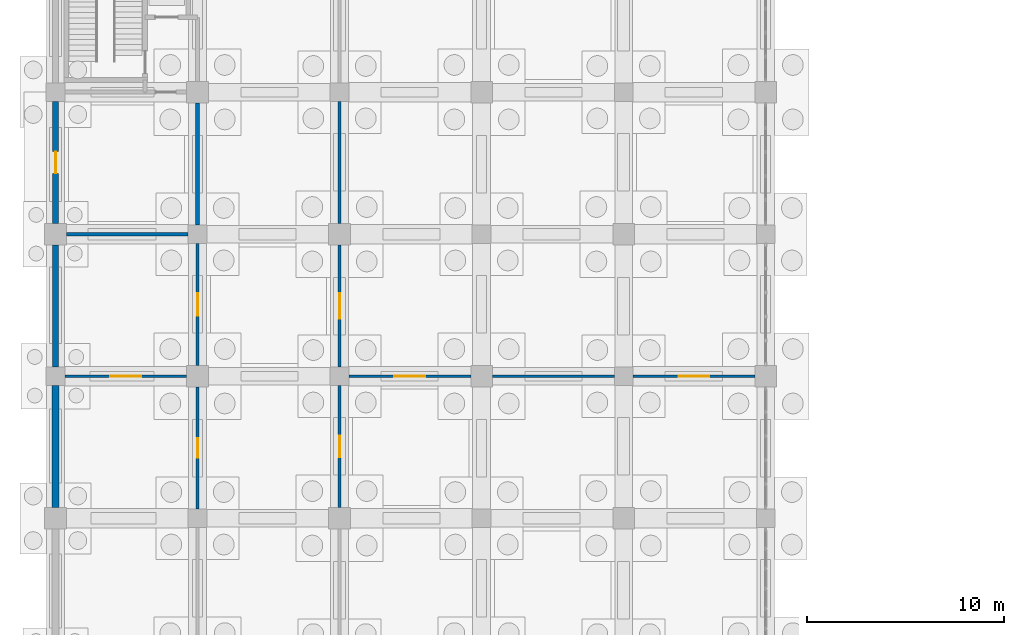
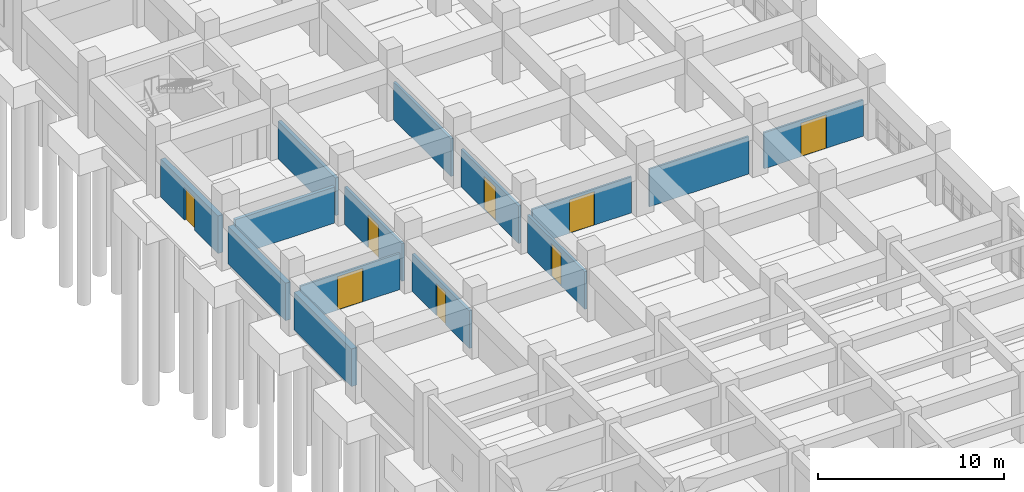
# One storey, part 58 of 79: 14 walls, 8 doors, 8 openings.
"""IFC4 building model written with IfcOpenShell, lengths in metres."""

from ifc_helpers import new_model, si_unit, direction, frame, frame_2d, origin, place, context, subcontext, project, spatial, rectangle, extrude, material, layer, layer_set, type_object, element, fill, save


model = new_model("IFC4")

# Units and contexts
model_context = context("Model", 3, precision=1e-05, world=origin(), true_north=direction((0.0, 1.0)))
body_context = subcontext(model_context, "Body", "Model", "MODEL_VIEW")
ifc_project = project(units=[si_unit("LENGTHUNIT", "METRE"), si_unit("AREAUNIT", "SQUARE_METRE"), si_unit("VOLUMEUNIT", "CUBIC_METRE"), si_unit("PLANEANGLEUNIT", "RADIAN"), si_unit("MASSUNIT", "GRAM", prefix="KILO")], contexts=[model_context])

# Site, building, storey
site_placement = place(None, origin())
site = spatial("IfcSite", under=ifc_project, at=site_placement, CompositionType="ELEMENT")
building_placement = place(site_placement, origin())
building = spatial("IfcBuilding", under=site, at=building_placement, Name="Kavelor Marine Aquarium", CompositionType="ELEMENT")
storey_placement = place(building_placement, origin())
storey = spatial("IfcBuildingStorey", under=building, at=storey_placement, Name="L00", CompositionType="ELEMENT", Elevation=0.0)

# Walls
ifc_material_1 = material(Name="Concrete C45/55", Category="concrete")
ifc_layer_1 = layer(ifc_material_1, 0.360107421875)
ifc_layer_set_1 = layer_set([ifc_layer_1], Name="WL-EX1")
wall_type_1 = type_object("IfcWallType", Name="WL-EX1", PredefinedType="STANDARD", material=ifc_layer_set_1)
wall_1_placement = place(storey_placement, frame((3.199951171875, 46.544921875, 0.0), z_axis=(0.0, 0.0, 1.0), x_axis=(0.0, 1.0, 0.0)))
element("IfcWall", 1, at=wall_1_placement, inside=storey, type_object=wall_type_1, Name="ew:y:L00:00_06", PredefinedType="STANDARD", context=body_context, shape_type="SweptSolid", body=[
    extrude(rectangle(XDim=6.18505859375, YDim=0.360107421875, at=frame_2d((3.092529296875, 0.0))), origin(), (0.0, 0.0, 1.0), 2.469970703125),
])
ifc_material_2 = material(Name="Concrete C45/55", Category="concrete")
ifc_layer_2 = layer(ifc_material_2, 0.320068359375)
ifc_layer_set_2 = layer_set([ifc_layer_2], Name="WL-EX2")
wall_type_2 = type_object("IfcWallType", Name="WL-EX2", PredefinedType="STANDARD", material=ifc_layer_set_2)
wall_2_placement = place(storey_placement, frame((3.199951171875, 53.669921875, 0.0), z_axis=(0.0, 0.0, 1.0), x_axis=(0.0, 1.0, 0.0)))
element("IfcWall", 2, at=wall_2_placement, inside=storey, type_object=wall_type_2, Name="ew:y:L00:00_07", PredefinedType="STANDARD", context=body_context, shape_type="SweptSolid", body=[
    extrude(rectangle(XDim=6.18505859375, YDim=0.320068359375, at=frame_2d((3.092529296875, 0.0))), origin(), (0.0, 0.0, 1.0), 2.469970703125),
])

# Wall, opening, door
ifc_material_3 = material(Name="Concrete C40/50", Category="concrete")
ifc_layer_3 = layer(ifc_material_3, 0.300048828125)
ifc_layer_set_3 = layer_set([ifc_layer_3], Name="WL-EX3")
wall_type_3 = type_object("IfcWallType", Name="WL-EX3", PredefinedType="STANDARD", material=ifc_layer_set_3)
wall_3_placement = place(storey_placement, frame((3.199951171875, 60.945068359375, 0.0), z_axis=(0.0, 0.0, 1.0), x_axis=(0.0, 1.0, 0.0)))
wall_3 = element("IfcWall", 3, at=wall_3_placement, inside=storey, type_object=wall_type_3, Name="ew:y:L00:00_08", PredefinedType="STANDARD", context=body_context, shape_type="SweptSolid", body=[
    extrude(rectangle(XDim=6.184814453125, YDim=0.300048828125, at=frame_2d((3.09228515625, 0.0))), origin(), (0.0, 0.0, 1.0), 2.469970703125),
])
opening_1_placement = place(wall_3_placement, frame((2.54248046875, 0.0, 0.0)))
opening_1 = element("IfcOpeningElement", 4, at=opening_1_placement, cuts=wall_3, Name="Opening SD2", PredefinedType="OPENING", context=body_context, shape_type="SweptSolid", body=[
    extrude(rectangle(XDim=1.10009765625, YDim=2.14990234375, at=frame_2d((0.550048828125, 1.074951171875))), frame((0.0, 0.159912109375, 0.0), z_axis=(0.0, -1.0, 0.0), x_axis=(1.0, 0.0, 0.0)), (0.0, 0.0, 1.0), 0.320049),
])
ifc_material_4 = material(Name="Marine-Grade Anodised Aluminium and Laminated Safety Glass", Category="aluminium")
door_type_1 = type_object("IfcDoorType", Name="DR-SD2", OperationType="NOTDEFINED", PredefinedType="DOOR", material=ifc_material_4)
door_1_placement = place(opening_1_placement, origin())
door_1 = element("IfcDoor", 5, at=door_1_placement, inside=storey, type_object=door_type_1, Name="Protected Stair Exterior Exit Door SD2 (ST03)", OperationType="SINGLE_SWING_RIGHT", OverallHeight=2.14990234375, OverallWidth=1.10009765625, PredefinedType="DOOR", context=body_context, shape_type="SweptSolid", body=[
    extrude(rectangle(XDim=1.10009765625, YDim=2.14990234375, at=frame_2d((0.550048828125, 1.074951171875))), frame((0.0, 0.02490234375, 0.0), z_axis=(0.0, -1.0, 0.0), x_axis=(1.0, 0.0, 0.0)), (0.0, 0.0, 1.0), 0.050048828125),
])
fill(opening_1, door_1)

# Walls
ifc_material_5 = material(Name="Concrete Blockwork Partition", Category="masonry")
ifc_layer_4 = layer(ifc_material_5, 0.199951171875)
ifc_layer_set_4 = layer_set([ifc_layer_4], Name="WL-PT1")
wall_type_4 = type_object("IfcWallType", Name="WL-PT1", PredefinedType="PARTITIONING", material=ifc_layer_set_4)
wall_4_placement = place(storey_placement, frame((3.75, 60.39990234375, 0.0), z_axis=(0.0, 0.0, 1.0), x_axis=(1.0, 0.0, 0.0)))
element("IfcWall", 6, at=wall_4_placement, inside=storey, type_object=wall_type_4, Name="pt:x:L00:00_07", PredefinedType="PARTITIONING", context=body_context, shape_type="SweptSolid", body=[
    extrude(rectangle(XDim=6.175048828125, YDim=0.199951171875, at=frame_2d((3.08740234375, 0.0))), origin(), (0.0, 0.0, 1.0), 2.3701171875),
])
wall_5_placement = place(storey_placement, frame((10.39990234375, 60.875, 0.0), z_axis=(0.0, 0.0, 1.0), x_axis=(0.0, 1.0, 0.0)))
element("IfcWall", 7, at=wall_5_placement, inside=storey, type_object=wall_type_4, Name="pt:y:L00:00_08", PredefinedType="PARTITIONING", context=body_context, shape_type="SweptSolid", body=[
    extrude(rectangle(XDim=6.175048828125, YDim=0.199951171875, at=frame_2d((3.08740234375, 0.0))), origin(), (0.0, 0.0, 1.0), 2.469970703125),
])

# Wall, opening, door
ifc_material_6 = material(Name="Acoustic Gypsum Stud Partition")
ifc_layer_5 = layer(ifc_material_6, 0.159912109375)
ifc_layer_set_5 = layer_set([ifc_layer_5], Name="WL-PT2")
wall_type_5 = type_object("IfcWallType", Name="WL-PT2", PredefinedType="PARTITIONING", material=ifc_layer_set_5)
wall_6_placement = place(storey_placement, frame((10.39990234375, 46.47509765625, 0.0), z_axis=(0.0, 0.0, 1.0), x_axis=(0.0, 1.0, 0.0)))
wall_6 = element("IfcWall", 8, at=wall_6_placement, inside=storey, type_object=wall_type_5, Name="pt:y:L00:00_06", PredefinedType="PARTITIONING", context=body_context, shape_type="SweptSolid", body=[
    extrude(rectangle(XDim=6.1748046875, YDim=0.159912109375, at=frame_2d((3.08740234375, 0.0))), origin(), (0.0, 0.0, 1.0), 2.469970703125),
])
opening_2_placement = place(wall_6_placement, frame((2.597412109375, 0.0, 0.0)))
opening_2 = element("IfcOpeningElement", 9, at=opening_2_placement, cuts=wall_6, Name="Opening D07", PredefinedType="OPENING", context=body_context, shape_type="SweptSolid", body=[
    extrude(rectangle(XDim=0.97998046875, YDim=2.1201171875, at=frame_2d((0.489990234375, 1.06005859375))), frame((0.0, 0.08984375, 0.0), z_axis=(0.0, -1.0, 0.0), x_axis=(1.0, 0.0, 0.0)), (0.0, 0.0, 1.0), 0.179912),
])
ifc_material_7 = material(Name="Research Write-Up Timber Door", Category="wood")
door_type_2 = type_object("IfcDoorType", Name="DR-D07", OperationType="NOTDEFINED", PredefinedType="DOOR", material=ifc_material_7)
door_2_placement = place(opening_2_placement, origin())
door_2 = element("IfcDoor", 10, at=door_2_placement, inside=storey, type_object=door_type_2, Name="dr:rm:pt:y:L00:00_06:1", OperationType="SINGLE_SWING_RIGHT", OverallHeight=2.1201171875, OverallWidth=0.97998046875, PredefinedType="DOOR", context=body_context, shape_type="SweptSolid", body=[
    extrude(rectangle(XDim=0.97998046875, YDim=2.1201171875, at=frame_2d((0.489990234375, 1.06005859375))), frame((0.0, 0.02490234375, 0.0), z_axis=(0.0, -1.0, 0.0), x_axis=(1.0, 0.0, 0.0)), (0.0, 0.0, 1.0), 0.050048828125),
])
fill(opening_2, door_2)

wall_7_placement = place(storey_placement, frame((10.39990234375, 53.75, 0.0), z_axis=(0.0, 0.0, 1.0), x_axis=(0.0, 1.0, 0.0)))
wall_7 = element("IfcWall", 11, at=wall_7_placement, inside=storey, type_object=wall_type_5, Name="pt:y:L00:00_07", PredefinedType="PARTITIONING", context=body_context, shape_type="SweptSolid", body=[
    extrude(rectangle(XDim=6.175048828125, YDim=0.159912109375, at=frame_2d((3.08740234375, 0.0))), origin(), (0.0, 0.0, 1.0), 2.469970703125),
])
opening_3_placement = place(wall_7_placement, frame((2.507568359375, 0.0, 0.0)))
opening_3 = element("IfcOpeningElement", 12, at=opening_3_placement, cuts=wall_7, Name="Opening D09", PredefinedType="OPENING", context=body_context, shape_type="SweptSolid", body=[
    extrude(rectangle(XDim=1.159912109375, YDim=2.179931640625, at=frame_2d((0.580078125, 1.08984375))), frame((0.0, 0.08984375, 0.0), z_axis=(0.0, -1.0, 0.0), x_axis=(1.0, 0.0, 0.0)), (0.0, 0.0, 1.0), 0.179912),
])
ifc_material_8 = material(Name="Husbandry Prep Marine Door")
door_type_3 = type_object("IfcDoorType", Name="DR-D09", OperationType="NOTDEFINED", PredefinedType="DOOR", material=ifc_material_8)
door_3_placement = place(opening_3_placement, origin())
door_3 = element("IfcDoor", 13, at=door_3_placement, inside=storey, type_object=door_type_3, Name="dr:rm:pt:y:L00:00_07:0", OperationType="SINGLE_SWING_LEFT", OverallHeight=2.179931640625, OverallWidth=1.159912109375, PredefinedType="DOOR", context=body_context, shape_type="SweptSolid", body=[
    extrude(rectangle(XDim=1.159912109375, YDim=2.179931640625, at=frame_2d((0.580078125, 1.08984375))), frame((0.0, 0.02490234375, 0.0), z_axis=(0.0, -1.0, 0.0), x_axis=(1.0, 0.0, 0.0)), (0.0, 0.0, 1.0), 0.050048828125),
])
fill(opening_3, door_3)

wall_8_placement = place(storey_placement, frame((17.60009765625, 46.550048828125, 0.0), z_axis=(0.0, 0.0, 1.0), x_axis=(0.0, 1.0, 0.0)))
wall_8 = element("IfcWall", 14, at=wall_8_placement, inside=storey, type_object=wall_type_5, Name="pt:y:L00:01_06", PredefinedType="PARTITIONING", context=body_context, shape_type="SweptSolid", body=[
    extrude(rectangle(XDim=6.175048828125, YDim=0.159912109375, at=frame_2d((3.08740234375, 0.0))), origin(), (0.0, 0.0, 1.0), 2.469970703125),
])
opening_4_placement = place(wall_8_placement, frame((2.547607421875, 0.0, 0.0)))
opening_4 = element("IfcOpeningElement", 15, at=opening_4_placement, cuts=wall_8, Name="Opening D08", PredefinedType="OPENING", context=body_context, shape_type="SweptSolid", body=[
    extrude(rectangle(XDim=1.080078125, YDim=2.159912109375, at=frame_2d((0.5400390625, 1.080078125))), frame((0.0, 0.08984375, 0.0), z_axis=(0.0, -1.0, 0.0), x_axis=(1.0, 0.0, 0.0)), (0.0, 0.0, 1.0), 0.179912),
])
ifc_material_9 = material(Name="Discovery Wet Lab Vision Door")
door_type_4 = type_object("IfcDoorType", Name="DR-D08", OperationType="NOTDEFINED", PredefinedType="DOOR", material=ifc_material_9)
door_4_placement = place(opening_4_placement, origin())
door_4 = element("IfcDoor", 16, at=door_4_placement, inside=storey, type_object=door_type_4, Name="dr:rm:pt:y:L00:01_06:1", OperationType="SINGLE_SWING_LEFT", OverallHeight=2.159912109375, OverallWidth=1.080078125, PredefinedType="DOOR", context=body_context, shape_type="SweptSolid", body=[
    extrude(rectangle(XDim=1.080078125, YDim=2.159912109375, at=frame_2d((0.5400390625, 1.080078125))), frame((0.0, 0.02490234375, 0.0), z_axis=(0.0, -1.0, 0.0), x_axis=(1.0, 0.0, 0.0)), (0.0, 0.0, 1.0), 0.050048828125),
])
fill(opening_4, door_4)

wall_9_placement = place(storey_placement, frame((17.60009765625, 53.675048828125, 0.0), z_axis=(0.0, 0.0, 1.0), x_axis=(0.0, 1.0, 0.0)))
wall_9 = element("IfcWall", 17, at=wall_9_placement, inside=storey, type_object=wall_type_5, Name="pt:y:L00:01_07", PredefinedType="PARTITIONING", context=body_context, shape_type="SweptSolid", body=[
    extrude(rectangle(XDim=6.175048828125, YDim=0.159912109375, at=frame_2d((3.08740234375, 0.0))), origin(), (0.0, 0.0, 1.0), 2.469970703125),
])
opening_5_placement = place(wall_9_placement, frame((2.447509765625, 0.0, 0.0)))
opening_5 = element("IfcOpeningElement", 18, at=opening_5_placement, cuts=wall_9, Name="Opening D10", PredefinedType="OPENING", context=body_context, shape_type="SweptSolid", body=[
    extrude(rectangle(XDim=1.280029296875, YDim=2.199951171875, at=frame_2d((0.64013671875, 1.10009765625))), frame((0.0, 0.08984375, 0.0), z_axis=(0.0, -1.0, 0.0), x_axis=(1.0, 0.0, 0.0)), (0.0, 0.0, 1.0), 0.179912),
])
ifc_material_10 = material(Name="Equipment Store Wide Leaf Door")
door_type_5 = type_object("IfcDoorType", Name="DR-D10", OperationType="NOTDEFINED", PredefinedType="DOOR", material=ifc_material_10)
door_5_placement = place(opening_5_placement, origin())
door_5 = element("IfcDoor", 19, at=door_5_placement, inside=storey, type_object=door_type_5, Name="dr:rm:pt:y:L00:01_07:0", OperationType="SINGLE_SWING_RIGHT", OverallHeight=2.199951171875, OverallWidth=1.280029296875, PredefinedType="DOOR", context=body_context, shape_type="SweptSolid", body=[
    extrude(rectangle(XDim=1.280029296875, YDim=2.199951171875, at=frame_2d((0.64013671875, 1.10009765625))), frame((0.0, 0.02490234375, 0.0), z_axis=(0.0, -1.0, 0.0), x_axis=(1.0, 0.0, 0.0)), (0.0, 0.0, 1.0), 0.050048828125),
])
fill(opening_5, door_5)

# Wall
wall_10_placement = place(storey_placement, frame((17.60009765625, 60.949951171875, 0.0), z_axis=(0.0, 0.0, 1.0), x_axis=(0.0, 1.0, 0.0)))
element("IfcWall", 20, at=wall_10_placement, inside=storey, type_object=wall_type_5, Name="pt:y:L00:01_08", PredefinedType="PARTITIONING", context=body_context, shape_type="SweptSolid", body=[
    extrude(rectangle(XDim=6.175048828125, YDim=0.159912109375, at=frame_2d((3.08740234375, 0.0))), origin(), (0.0, 0.0, 1.0), 2.469970703125),
])

# Wall, opening, door
ifc_material_11 = material(Name="Lightweight Drywall Partition")
ifc_layer_6 = layer(ifc_material_11, 0.1201171875)
ifc_layer_set_6 = layer_set([ifc_layer_6], Name="WL-PT4")
wall_type_6 = type_object("IfcWallType", Name="WL-PT4", PredefinedType="PARTITIONING", material=ifc_layer_set_6)
wall_11_placement = place(storey_placement, frame((3.675048828125, 53.199951171875, 0.0), z_axis=(0.0, 0.0, 1.0), x_axis=(1.0, 0.0, 0.0)))
wall_11 = element("IfcWall", 21, at=wall_11_placement, inside=storey, type_object=wall_type_6, Name="pt:x:L00:00_06", PredefinedType="PARTITIONING", context=body_context, shape_type="SweptSolid", body=[
    extrude(rectangle(XDim=6.175048828125, YDim=0.1201171875, at=frame_2d((3.08740234375, 0.0))), origin(), (0.0, 0.0, 1.0), 2.3701171875),
])
opening_6_placement = place(wall_11_placement, frame((2.3076171875, 0.0, 0.0)))
opening_6 = element("IfcOpeningElement", 22, at=opening_6_placement, cuts=wall_11, Name="Opening D03", PredefinedType="OPENING", context=body_context, shape_type="SweptSolid", body=[
    extrude(rectangle(XDim=1.56005859375, YDim=2.199951171875, at=frame_2d((0.780029296875, 1.10009765625))), frame((0.0, 0.070068359375, 0.0), z_axis=(0.0, -1.0, 0.0), x_axis=(1.0, 0.0, 0.0)), (0.0, 0.0, 1.0), 0.140117),
])
ifc_material_12 = material(Name="Glazed Aluminium Gallery Double Door", Category="aluminium")
door_type_6 = type_object("IfcDoorType", Name="DR-D03", OperationType="NOTDEFINED", PredefinedType="DOOR", material=ifc_material_12)
door_6_placement = place(opening_6_placement, origin())
door_6 = element("IfcDoor", 23, at=door_6_placement, inside=storey, type_object=door_type_6, Name="dr:rm:pt:x:L00:00_06:0", OperationType="DOUBLE_DOOR_SINGLE_SWING", OverallHeight=2.199951171875, OverallWidth=1.56005859375, PredefinedType="DOOR", context=body_context, shape_type="SweptSolid", body=[
    extrude(rectangle(XDim=1.56005859375, YDim=2.199951171875, at=frame_2d((0.780029296875, 1.10009765625))), frame((0.0, 0.02490234375, 0.0), z_axis=(0.0, -1.0, 0.0), x_axis=(1.0, 0.0, 0.0)), (0.0, 0.0, 1.0), 0.050048828125),
])
fill(opening_6, door_6)

wall_12_placement = place(storey_placement, frame((18.074951171875, 53.199951171875, 0.0), z_axis=(0.0, 0.0, 1.0), x_axis=(1.0, 0.0, 0.0)))
wall_12 = element("IfcWall", 24, at=wall_12_placement, inside=storey, type_object=wall_type_6, Name="pt:x:L00:02_06", PredefinedType="PARTITIONING", context=body_context, shape_type="SweptSolid", body=[
    extrude(rectangle(XDim=6.175048828125, YDim=0.1201171875, at=frame_2d((3.08740234375, 0.0))), origin(), (0.0, 0.0, 1.0), 2.3701171875),
])
opening_7_placement = place(wall_12_placement, frame((2.3076171875, 0.0, 0.0)))
opening_7 = element("IfcOpeningElement", 25, at=opening_7_placement, cuts=wall_12, Name="Opening D03", PredefinedType="OPENING", context=body_context, shape_type="SweptSolid", body=[
    extrude(rectangle(XDim=1.56005859375, YDim=2.199951171875, at=frame_2d((0.780029296875, 1.10009765625))), frame((0.0, 0.070068359375, 0.0), z_axis=(0.0, -1.0, 0.0), x_axis=(1.0, 0.0, 0.0)), (0.0, 0.0, 1.0), 0.140117),
])
door_7_placement = place(opening_7_placement, origin())
door_7 = element("IfcDoor", 26, at=door_7_placement, inside=storey, type_object=door_type_6, Name="dr:rm:pt:x:L00:02_06:0", OperationType="DOUBLE_DOOR_SINGLE_SWING", OverallHeight=2.199951171875, OverallWidth=1.56005859375, PredefinedType="DOOR", context=body_context, shape_type="SweptSolid", body=[
    extrude(rectangle(XDim=1.56005859375, YDim=2.199951171875, at=frame_2d((0.780029296875, 1.10009765625))), frame((0.0, 0.02490234375, 0.0), z_axis=(0.0, -1.0, 0.0), x_axis=(1.0, 0.0, 0.0)), (0.0, 0.0, 1.0), 0.050048828125),
])
fill(opening_7, door_7)

# Wall
wall_13_placement = place(storey_placement, frame((25.35009765625, 53.199951171875, 0.0), z_axis=(0.0, 0.0, 1.0), x_axis=(1.0, 0.0, 0.0)))
element("IfcWall", 27, at=wall_13_placement, inside=storey, type_object=wall_type_6, Name="pt:x:L00:03_06", PredefinedType="PARTITIONING", context=body_context, shape_type="SweptSolid", body=[
    extrude(rectangle(XDim=6.1748046875, YDim=0.1201171875, at=frame_2d((3.08740234375, 0.0))), origin(), (0.0, 0.0, 1.0), 2.469970703125),
])

# Wall, opening, door
wall_14_placement = place(storey_placement, frame((32.47509765625, 53.199951171875, 0.0), z_axis=(0.0, 0.0, 1.0), x_axis=(1.0, 0.0, 0.0)))
wall_14 = element("IfcWall", 28, at=wall_14_placement, inside=storey, type_object=wall_type_6, Name="pt:x:L00:04_06", PredefinedType="PARTITIONING", context=body_context, shape_type="SweptSolid", body=[
    extrude(rectangle(XDim=6.1748046875, YDim=0.1201171875, at=frame_2d((3.08740234375, 0.0))), origin(), (0.0, 0.0, 1.0), 2.3701171875),
])
opening_8_placement = place(wall_14_placement, frame((2.3076171875, 0.0, 0.0)))
opening_8 = element("IfcOpeningElement", 29, at=opening_8_placement, cuts=wall_14, Name="Opening D03", PredefinedType="OPENING", context=body_context, shape_type="SweptSolid", body=[
    extrude(rectangle(XDim=1.56005859375, YDim=2.199951171875, at=frame_2d((0.780029296875, 1.10009765625))), frame((0.0, 0.070068359375, 0.0), z_axis=(0.0, -1.0, 0.0), x_axis=(1.0, 0.0, 0.0)), (0.0, 0.0, 1.0), 0.140117),
])
door_8_placement = place(opening_8_placement, origin())
door_8 = element("IfcDoor", 30, at=door_8_placement, inside=storey, type_object=door_type_6, Name="dr:rm:pt:x:L00:04_06:1", OperationType="DOUBLE_DOOR_SINGLE_SWING", OverallHeight=2.199951171875, OverallWidth=1.56005859375, PredefinedType="DOOR", context=body_context, shape_type="SweptSolid", body=[
    extrude(rectangle(XDim=1.56005859375, YDim=2.199951171875, at=frame_2d((0.780029296875, 1.10009765625))), frame((0.0, 0.02490234375, 0.0), z_axis=(0.0, -1.0, 0.0), x_axis=(1.0, 0.0, 0.0)), (0.0, 0.0, 1.0), 0.050048828125),
])
fill(opening_8, door_8)

save(model, "model.ifc")
